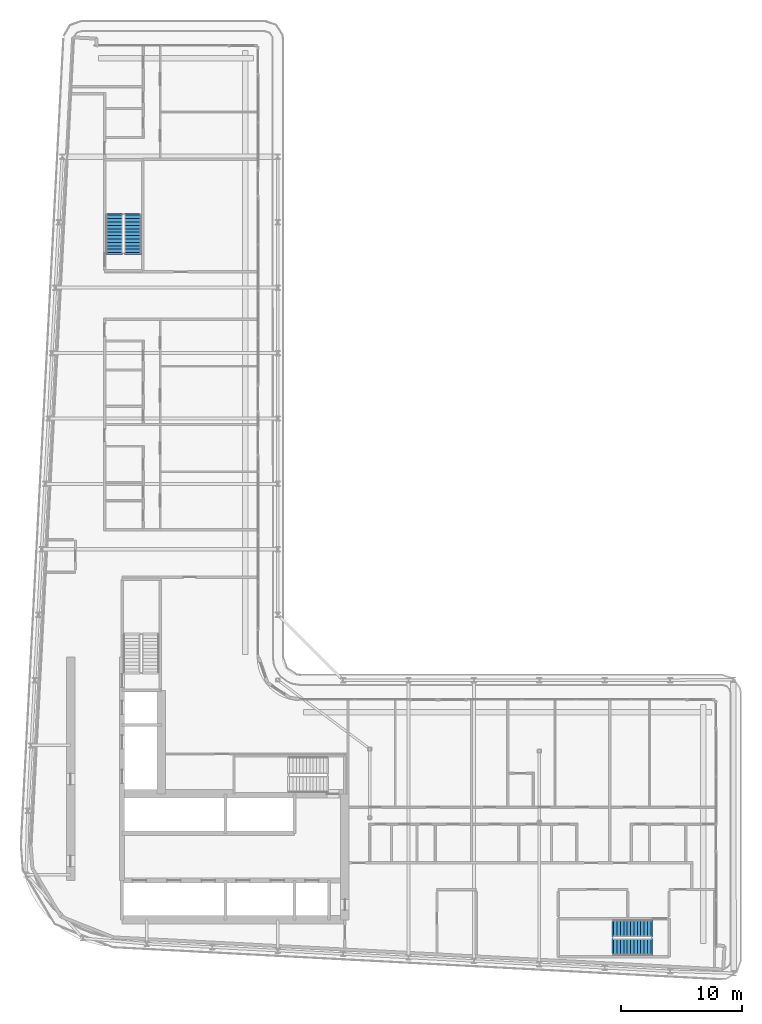
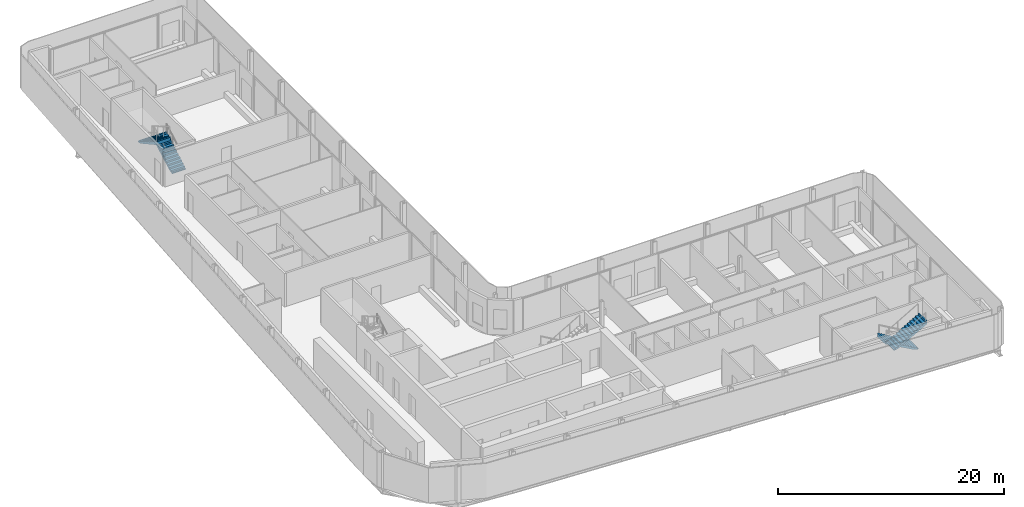
# One storey, part 15 of 22: 4 stair flights, 2 elements without a shape of their own.
"""IFC4 building model written with IfcOpenShell, lengths in metres."""

from ifc_helpers import new_model, si_unit, direction, frame, origin, place, context, subcontext, project, spatial, polyline, outline, extrude, material, layer, layer_set, type_object, element, aggregate, save


model = new_model("IFC4")

# Units and contexts
model_context = context("Model", 3, precision=1e-05, world=origin(), true_north=direction((0.0, 1.0)))
body_context = subcontext(model_context, "Body", "Model", "MODEL_VIEW")
ifc_project = project(units=[si_unit("LENGTHUNIT", "METRE"), si_unit("AREAUNIT", "SQUARE_METRE"), si_unit("VOLUMEUNIT", "CUBIC_METRE"), si_unit("PLANEANGLEUNIT", "RADIAN"), si_unit("MASSUNIT", "GRAM", prefix="KILO")], contexts=[model_context])

# Site, building, storey
site_placement = place(None, origin())
site = spatial("IfcSite", under=ifc_project, at=site_placement, CompositionType="ELEMENT")
building_placement = place(site_placement, origin())
building = spatial("IfcBuilding", under=site, at=building_placement, Name="Kheshtan School and Residences Tower", CompositionType="ELEMENT")
storey_placement = place(building_placement, frame((0.0, 0.0, 255.199951171875)))
storey = spatial("IfcBuildingStorey", under=building, at=storey_placement, Name="L60", CompositionType="ELEMENT", Elevation=255.199951171875)

# Stair, stair flights
ifc_material = material(Name="Concrete C40/50", Category="concrete")
stair_type = type_object("IfcStairType", Name="Exit stair, half-turn", PredefinedType="HALF_TURN_STAIR", material=ifc_material)
stair_1_placement = place(storey_placement, origin())
stair_1 = element("IfcStair", 1, at=stair_1_placement, inside=storey, type_object=stair_type, Name="L60 Protected Exit Stair ST3", PredefinedType="HALF_TURN_STAIR")
ifc_layer = layer(ifc_material, 0.14990234375)
ifc_layer_set = layer_set([ifc_layer], Name="Stair flight 1400 Concrete C40/50")
stair_flight_type = type_object("IfcStairFlightType", Name="Stair flight 1400 Concrete C40/50", PredefinedType="STRAIGHT", material=ifc_layer_set)
stair_flight_1_placement = place(storey_placement, frame((35.64990234375, 80.89990234375, 0.0), z_axis=(0.0, 0.0, 1.0), x_axis=(0.0, 1.0, 0.0)))
stair_flight_1 = element("IfcStairFlight", 2, at=stair_flight_1_placement, type_object=stair_flight_type, Name="ST3 flight 1", NumberOfRisers=12, NumberOfTreads=11, PredefinedType="STRAIGHT", RiserHeight=0.1625, TreadLength=0.28, context=body_context, shape_type="SweptSolid", body=[
    extrude(outline(polyline([(-0.14990234375, -0.10009765625), (-0.14990234375, 0.0), (0.0, 0.0), (0.0, 0.16259765625), (0.280029296875, 0.16259765625), (0.280029296875, 0.324951171875), (0.56005859375, 0.324951171875), (0.56005859375, 0.487548828125), (0.840087890625, 0.487548828125), (0.840087890625, 0.64990234375), (1.1201171875, 0.64990234375), (1.1201171875, 0.8125), (1.39990234375, 0.8125), (1.39990234375, 0.97509765625), (1.679931640625, 0.97509765625), (1.679931640625, 1.137451171875), (1.9599609375, 1.137451171875), (1.9599609375, 1.300048828125), (2.239990234375, 1.300048828125), (2.239990234375, 1.46240234375), (2.52001953125, 1.46240234375), (2.52001953125, 1.625), (2.800048828125, 1.625), (2.800048828125, 1.78759765625), (3.080078125, 1.78759765625), (3.080078125, 1.949951171875), (3.080078125, 1.969970703125), (3.22998046875, 1.969970703125), (3.22998046875, 1.6142578125), (0.298583984375, 0.0), (-0.14990234375, -0.10009765625)])), frame((0.0, 0.699951171875, 0.0), z_axis=(0.0, -1.0, 0.0), x_axis=(1.0, 0.0, 0.0)), (0.0, 0.0, 1.0), 1.39990234375),
])
stair_flight_2_placement = place(storey_placement, frame((34.10009765625, 83.97998046875, 1.949951171875), z_axis=(0.0, 0.0, 1.0), x_axis=(0.0, -1.0, 0.0)))
stair_flight_2 = element("IfcStairFlight", 3, at=stair_flight_2_placement, type_object=stair_flight_type, Name="ST3 flight 2", NumberOfRisers=12, NumberOfTreads=11, PredefinedType="STRAIGHT", RiserHeight=0.1625, TreadLength=0.28, context=body_context, shape_type="SweptSolid", body=[
    extrude(outline(polyline([(-0.14990234375, -0.10009765625), (-0.14990234375, 0.0), (0.0, 0.0), (0.0, 0.16259765625), (0.280029296875, 0.16259765625), (0.280029296875, 0.324951171875), (0.56005859375, 0.324951171875), (0.56005859375, 0.487548828125), (0.840087890625, 0.487548828125), (0.840087890625, 0.64990234375), (1.1201171875, 0.64990234375), (1.1201171875, 0.8125), (1.39990234375, 0.8125), (1.39990234375, 0.97509765625), (1.679931640625, 0.97509765625), (1.679931640625, 1.137451171875), (1.9599609375, 1.137451171875), (1.9599609375, 1.300048828125), (2.239990234375, 1.300048828125), (2.239990234375, 1.46240234375), (2.52001953125, 1.46240234375), (2.52001953125, 1.625), (2.800048828125, 1.625), (2.800048828125, 1.78759765625), (3.080078125, 1.78759765625), (3.080078125, 1.949951171875), (3.080078125, 1.969970703125), (3.22998046875, 1.969970703125), (3.22998046875, 1.6142578125), (0.298583984375, 0.0), (-0.14990234375, -0.10009765625)])), frame((0.0, 0.699951171875, 0.0), z_axis=(0.0, -1.0, 0.0), x_axis=(1.0, 0.0, 0.0)), (0.0, 0.0, 1.0), 1.39990234375),
])
aggregate(stair_1, [stair_flight_1, stair_flight_2])

stair_2_placement = place(storey_placement, origin())
stair_2 = element("IfcStair", 4, at=stair_2_placement, inside=storey, type_object=stair_type, Name="L60 Protected Exit Stair ST5", PredefinedType="HALF_TURN_STAIR")
stair_flight_3_placement = place(storey_placement, frame((78.409912109375, 25.10009765625, 0.0), z_axis=(0.0, 0.0, 1.0), x_axis=(-1.0, 0.0, 0.0)))
stair_flight_3 = element("IfcStairFlight", 5, at=stair_flight_3_placement, type_object=stair_flight_type, Name="ST5 flight 1", NumberOfRisers=12, NumberOfTreads=11, PredefinedType="STRAIGHT", RiserHeight=0.1625, TreadLength=0.28, context=body_context, shape_type="SweptSolid", body=[
    extrude(outline(polyline([(-0.14990234375, -0.10009765625), (-0.14990234375, 0.0), (0.0, 0.0), (0.0, 0.16259765625), (0.280029296875, 0.16259765625), (0.280029296875, 0.324951171875), (0.56005859375, 0.324951171875), (0.56005859375, 0.487548828125), (0.840087890625, 0.487548828125), (0.840087890625, 0.64990234375), (1.1201171875, 0.64990234375), (1.1201171875, 0.8125), (1.39990234375, 0.8125), (1.39990234375, 0.97509765625), (1.679931640625, 0.97509765625), (1.679931640625, 1.137451171875), (1.9599609375, 1.137451171875), (1.9599609375, 1.300048828125), (2.239990234375, 1.300048828125), (2.239990234375, 1.46240234375), (2.52001953125, 1.46240234375), (2.52001953125, 1.625), (2.800048828125, 1.625), (2.800048828125, 1.78759765625), (3.080078125, 1.78759765625), (3.080078125, 1.949951171875), (3.080078125, 1.969970703125), (3.22998046875, 1.969970703125), (3.22998046875, 1.6142578125), (0.298583984375, 0.0), (-0.14990234375, -0.10009765625)])), frame((0.0, 0.699951171875, 0.0), z_axis=(0.0, -1.0, 0.0), x_axis=(1.0, 0.0, 0.0)), (0.0, 0.0, 1.0), 1.39990234375),
])
stair_flight_4_placement = place(storey_placement, frame((75.330078125, 23.550048828125, 1.949951171875), z_axis=(0.0, 0.0, 1.0), x_axis=(1.0, 0.0, 0.0)))
stair_flight_4 = element("IfcStairFlight", 6, at=stair_flight_4_placement, type_object=stair_flight_type, Name="ST5 flight 2", NumberOfRisers=12, NumberOfTreads=11, PredefinedType="STRAIGHT", RiserHeight=0.1625, TreadLength=0.28, context=body_context, shape_type="SweptSolid", body=[
    extrude(outline(polyline([(-0.14990234375, -0.10009765625), (-0.14990234375, 0.0), (0.0, 0.0), (0.0, 0.16259765625), (0.280029296875, 0.16259765625), (0.280029296875, 0.324951171875), (0.56005859375, 0.324951171875), (0.56005859375, 0.487548828125), (0.840087890625, 0.487548828125), (0.840087890625, 0.64990234375), (1.1201171875, 0.64990234375), (1.1201171875, 0.8125), (1.39990234375, 0.8125), (1.39990234375, 0.97509765625), (1.679931640625, 0.97509765625), (1.679931640625, 1.137451171875), (1.9599609375, 1.137451171875), (1.9599609375, 1.300048828125), (2.239990234375, 1.300048828125), (2.239990234375, 1.46240234375), (2.52001953125, 1.46240234375), (2.52001953125, 1.625), (2.800048828125, 1.625), (2.800048828125, 1.78759765625), (3.080078125, 1.78759765625), (3.080078125, 1.949951171875), (3.080078125, 1.969970703125), (3.22998046875, 1.969970703125), (3.22998046875, 1.6142578125), (0.298583984375, 0.0), (-0.14990234375, -0.10009765625)])), frame((0.0, 0.699951171875, 0.0), z_axis=(0.0, -1.0, 0.0), x_axis=(1.0, 0.0, 0.0)), (0.0, 0.0, 1.0), 1.39990234375),
])
aggregate(stair_2, [stair_flight_3, stair_flight_4])

save(model, "model.ifc")
